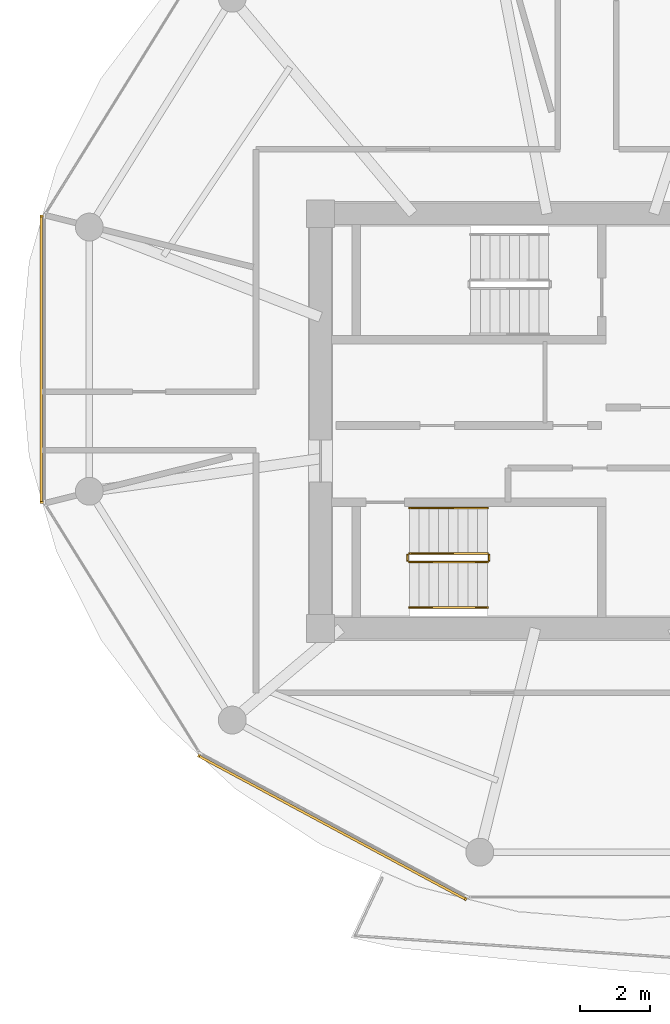
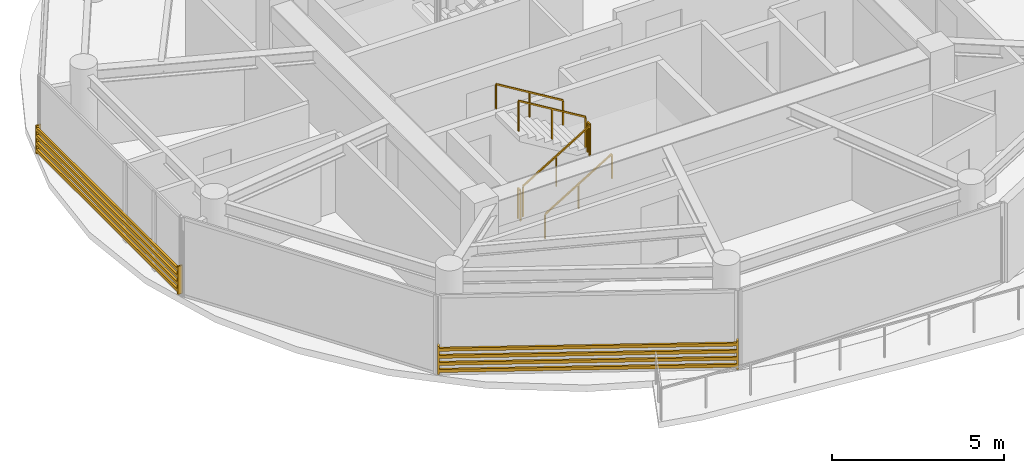
# One storey, part 18 of 23: 6 railings, 2 shading devices.
"""IFC4 building model written with IfcOpenShell, lengths in metres."""

import ifcopenshell
import ifcopenshell.guid

model = None  # the IFC model being written
_history = None  # IfcOwnerHistory: only IFC2X3 demands one
_inside = {}  # id of a spatial element -> (the spatial element, [elements in it])
_under = {}  # id of a project, library or spatial element -> (it, [spatial elements below it])
_declared = {}  # id of a project -> (the project, [libraries it declares])
_typed = {}  # id of a type object -> (the type object, [elements of that type])
_made_of = {}  # id of a material, layer set ... -> (it, [elements and type objects made of it])


def new_model(schema):
    """Start an empty IFC model of exactly this schema.

    Asked for "IFC4X3", IfcOpenShell would pick the latest addendum, in which some entities
    have other attributes; the version numbers below select the first issue.
    IFC2X3 requires an IfcOwnerHistory on every rooted entity: one is made here for all.
    """
    global model, _history
    if schema == "IFC4X3":
        model = ifcopenshell.file(schema_version=(4, 3, 0, 0))
    else:
        model = ifcopenshell.file(schema=schema)
    _inside.clear()
    _under.clear()
    _declared.clear()
    _typed.clear()
    _made_of.clear()
    _history = None
    if model.schema == "IFC2X3":
        org = make("IfcOrganization", Name="unknown")
        user = make(
            "IfcPersonAndOrganization",
            ThePerson=make("IfcPerson", FamilyName="unknown"),
            TheOrganization=org,
        )
        app = make(
            "IfcApplication",
            ApplicationDeveloper=org,
            Version="unknown",
            ApplicationFullName="unknown",
            ApplicationIdentifier="unknown",
        )
        _history = make(
            "IfcOwnerHistory",
            OwningUser=user,
            OwningApplication=app,
            ChangeAction="ADDED",
            CreationDate=0,
        )
    return model


def make(cls, **values):
    """One entity of the class cls with the attributes given. An attribute that is None is left unset."""
    return model.create_entity(
        cls, **{name: value for name, value in values.items() if value is not None}
    )


def rooted(cls, **values):
    """An entity with a GlobalId (a new one), such as an element, a storey or a relation."""
    return make(cls, GlobalId=ifcopenshell.guid.new(), OwnerHistory=_history, **values)


def si_unit(unit_type, name, prefix=None):
    """IfcSIUnit, for example si_unit("LENGTHUNIT", "METRE", prefix="MILLI")."""
    return make("IfcSIUnit", UnitType=unit_type, Prefix=prefix, Name=name)


def assignment(units):
    """IfcUnitAssignment: the units of a project."""
    return None if units is None else make("IfcUnitAssignment", Units=units)


def point(xyz):
    """IfcCartesianPoint."""
    return None if xyz is None else make("IfcCartesianPoint", Coordinates=xyz)


def direction(xyz):
    """IfcDirection."""
    return None if xyz is None else make("IfcDirection", DirectionRatios=xyz)


def frame(location, z_axis=None, x_axis=None):
    """IfcAxis2Placement3D, a coordinate frame: its origin and axes. An axis left out is left unset."""
    return make(
        "IfcAxis2Placement3D",
        Location=point(location),
        Axis=direction(z_axis),
        RefDirection=direction(x_axis),
    )


def frame_2d(location, x_axis=None):
    """IfcAxis2Placement2D, a coordinate frame in the plane: its origin and x axis."""
    return make(
        "IfcAxis2Placement2D", Location=point(location), RefDirection=direction(x_axis)
    )


def origin():
    """The frame at (0, 0, 0) with its axes left unset."""
    return frame((0.0, 0.0, 0.0))


def origin_2d():
    """The frame at (0, 0) in the plane with its x axis left unset."""
    return frame_2d((0.0, 0.0))


def place(relative_to, where):
    """IfcLocalPlacement: puts the frame where relative to a parent placement (None: the world)."""
    return make(
        "IfcLocalPlacement", PlacementRelTo=relative_to, RelativePlacement=where
    )


def context(
    kind, dimensions, precision=None, world=None, true_north=None, identifier=None
):
    """IfcGeometricRepresentationContext, for example the 3D "Model" context."""
    return make(
        "IfcGeometricRepresentationContext",
        ContextIdentifier=identifier,
        ContextType=kind,
        CoordinateSpaceDimension=dimensions,
        Precision=precision,
        WorldCoordinateSystem=world,
        TrueNorth=true_north,
    )


def subcontext(parent, identifier, kind, view, scale=None):
    """IfcGeometricRepresentationSubContext, for example "Body" below "Model"."""
    return make(
        "IfcGeometricRepresentationSubContext",
        ContextIdentifier=identifier,
        ContextType=kind,
        ParentContext=parent,
        TargetScale=scale,
        TargetView=view,
    )


def project(units=None, contexts=None):
    """IfcProject with its units and contexts."""
    return rooted(
        "IfcProject",
        Name="project",
        RepresentationContexts=contexts,
        UnitsInContext=assignment(units),
    )


def spatial(cls, under=None, at=None, **own):
    """A site, building, storey or space (cls), placed at a placement, below another one or the project."""
    s = rooted(cls, ObjectPlacement=at, **own)
    if under is not None:
        _under.setdefault(under.id(), (under, []))[1].append(s)
    return s


def profile(cls, at=None, kind="AREA", **sizes):
    """A parametric profile (cls). Its sizes go by their IFC names, for example OverallWidth=200.0."""
    return make(cls, ProfileType=kind, Position=at, **sizes)


def rectangle(**sizes):
    """IfcRectangleProfileDef."""
    return profile("IfcRectangleProfileDef", **sizes)


def extrude(swept, where, along, depth):
    """IfcExtrudedAreaSolid: the profile swept, set in the frame where, extruded along a direction by depth."""
    return make(
        "IfcExtrudedAreaSolid",
        SweptArea=swept,
        Position=where,
        ExtrudedDirection=direction(along),
        Depth=depth,
    )


def shape(context_of_items, identifier, shape_type, items):
    """IfcShapeRepresentation: the items that make up one representation, for example the "Body"."""
    return make(
        "IfcShapeRepresentation",
        ContextOfItems=context_of_items,
        RepresentationIdentifier=identifier,
        RepresentationType=shape_type,
        Items=items,
    )


def source(mapping_origin, context_of_items, identifier, shape_type, items):
    """IfcRepresentationMap: a shape defined once, which mapped items show again and again."""
    return make(
        "IfcRepresentationMap",
        MappingOrigin=mapping_origin,
        MappedRepresentation=shape(context_of_items, identifier, shape_type, items),
    )


def transform(
    local_origin,
    x_axis=None,
    y_axis=None,
    z_axis=None,
    scale=None,
    scale2=None,
    scale3=None,
    uniform=True,
):
    """IfcCartesianTransformationOperator3D, or its non-uniform kind. x_axis, y_axis, z_axis: its Axis1, 2, 3."""
    if uniform:
        return make(
            "IfcCartesianTransformationOperator3D",
            Axis1=direction(x_axis),
            Axis2=direction(y_axis),
            LocalOrigin=point(local_origin),
            Scale=scale,
            Axis3=direction(z_axis),
        )
    return make(
        "IfcCartesianTransformationOperator3DnonUniform",
        Axis1=direction(x_axis),
        Axis2=direction(y_axis),
        LocalOrigin=point(local_origin),
        Scale=scale,
        Axis3=direction(z_axis),
        Scale2=scale2,
        Scale3=scale3,
    )


def mapped(mapping_source, mapping_target):
    """IfcMappedItem: shows the shape of a source again, moved by a transform."""
    return make(
        "IfcMappedItem", MappingSource=mapping_source, MappingTarget=mapping_target
    )


def material(Name=None, Category=None):
    """IfcMaterial."""
    return make("IfcMaterial", Name=Name, Category=Category)


def made_of(thing, what):
    """Note that an element or type object is made of a material, layer set ...; save() writes the relation."""
    if what is not None:
        _made_of.setdefault(what.id(), (what, []))[1].append(thing)
    return thing


def type_object(cls, material=None, **own):
    """A type object (cls), such as IfcWallType, which elements share."""
    return made_of(rooted(cls, **own), material)


def type_shapes(of_type, sources):
    """Give a type object the sources (RepresentationMaps) that its elements show as mapped items."""
    of_type.RepresentationMaps = sources


def element(
    cls,
    number,
    at=None,
    inside=None,
    cuts=None,
    type_object=None,
    material=None,
    context=None,
    identifier="Body",
    shape_type=None,
    held_by="IfcProductDefinitionShape",
    body=None,
    shapes=None,
    **own,
):
    """One element of the class cls, such as IfcWall. Its Tag is "e" and its number.

    at: its placement. inside: the storey or other place that contains it. cuts: it is an
    opening in that element (IfcRelVoidsElement). A single representation is given by context,
    identifier, shape_type and body (its items); several are given by shapes. held_by: the class
    of the entity that holds the representations. save() writes the other relations.
    """
    e = rooted(cls, Tag="e%d" % number, ObjectPlacement=at, **own)
    if body is not None:
        shapes = [shape(context, identifier, shape_type, body)]
    if shapes is not None:
        e.Representation = make(held_by, Representations=shapes)
    if inside is not None:
        _inside.setdefault(inside.id(), (inside, []))[1].append(e)
    if cuts is not None:
        rooted(
            "IfcRelVoidsElement", RelatingBuildingElement=cuts, RelatedOpeningElement=e
        )
    if type_object is not None:
        _typed.setdefault(type_object.id(), (type_object, []))[1].append(e)
    return made_of(e, material)


def aggregate(whole, parts):
    """IfcRelAggregates: a whole, such as a stair, and the parts it consists of."""
    return rooted("IfcRelAggregates", RelatingObject=whole, RelatedObjects=parts)


def save(model, path):
    """Write the relations noted so far, then the file.

    IfcRelAggregates (storeys below a building ...), IfcRelContainedInSpatialStructure (elements
    in a storey), IfcRelDefinesByType, IfcRelAssociatesMaterial and IfcRelDeclares: one each for
    every whole, place, type object, material and project.
    """
    for whole, parts in _under.values():
        aggregate(whole, parts)
    for where, things in _inside.values():
        rooted(
            "IfcRelContainedInSpatialStructure",
            RelatedElements=things,
            RelatingStructure=where,
        )
    for kind, things in _typed.values():
        rooted("IfcRelDefinesByType", RelatedObjects=things, RelatingType=kind)
    for what, things in _made_of.values():
        rooted("IfcRelAssociatesMaterial", RelatedObjects=things, RelatingMaterial=what)
    for by, libraries in _declared.values():
        rooted("IfcRelDeclares", RelatingContext=by, RelatedDefinitions=libraries)
    model.write(path)


model = new_model("IFC4")

# Units and contexts
model_context = context("Model", 3, precision=1e-05, world=origin(), true_north=direction((0.0, 1.0)))
body_context = subcontext(model_context, "Body", "Model", "MODEL_VIEW")
ifc_project = project(units=[si_unit("LENGTHUNIT", "METRE"), si_unit("AREAUNIT", "SQUARE_METRE"), si_unit("VOLUMEUNIT", "CUBIC_METRE"), si_unit("PLANEANGLEUNIT", "RADIAN"), si_unit("MASSUNIT", "GRAM", prefix="KILO")], contexts=[model_context])

# Site, building, storey
site_placement = place(None, origin())
site = spatial("IfcSite", under=ifc_project, at=site_placement, CompositionType="ELEMENT")
building_placement = place(site_placement, origin())
building = spatial("IfcBuilding", under=site, at=building_placement, Name="Norrkilde Senior Care Towers", CompositionType="ELEMENT")
storey_placement = place(building_placement, frame((0.0, 0.0, 177.0)))
storey = spatial("IfcBuildingStorey", under=building, at=storey_placement, Name="L55", CompositionType="ELEMENT", Elevation=177.0)

# Railings
ifc_material_1 = material(Name="Stainless Steel", Category="steel")
railing_type_1 = type_object("IfcRailingType", Name="Stair and Terrace Guardrail 1100", PredefinedType="GUARDRAIL", material=ifc_material_1)
railing_1_placement = place(storey_placement, frame((-33.10009765625, -4.050048828125, 0.16943359375)))
element("IfcRailing", 1, at=railing_1_placement, inside=storey, type_object=railing_type_1, Name="L55 ST-W2 stair guard 1", PredefinedType="GUARDRAIL", context=body_context, shape_type="SweptSolid", body=[
    extrude(rectangle(XDim=0.048095703125, YDim=0.048095703125, at=origin_2d()), frame((0.0, 0.0, 1.076171875), z_axis=(0.855553338991, 0.0, 0.51771467445), x_axis=(0.0, 1.0, 0.0)), (0.0, 0.0, 1.0), 2.6181640625),
    extrude(rectangle(XDim=0.0419921875, YDim=0.0419921875, at=origin_2d()), origin(), (0.0, 0.0, 1.0), 1.050048828125),
    extrude(rectangle(XDim=0.0419921875, YDim=0.0419921875, at=origin_2d()), frame((1.1201171875, 0.0, 0.677734375)), (0.0, 0.0, 1.0), 1.050048828125),
    extrude(rectangle(XDim=0.0419921875, YDim=0.0419921875, at=origin_2d()), frame((2.239990234375, 0.0, 1.35546875)), (0.0, 0.0, 1.0), 1.050048828125),
])
railing_2_placement = place(storey_placement, frame((-30.81005859375, -4.0, 1.52490234375)))
element("IfcRailing", 2, at=railing_2_placement, inside=storey, type_object=railing_type_1, Name="L55 ST-W2 stair guard 2", PredefinedType="GUARDRAIL", context=body_context, shape_type="SweptSolid", body=[
    extrude(rectangle(XDim=0.048095703125, YDim=0.048095703125, at=origin_2d()), frame((0.0, 0.0, 1.076171875), z_axis=(0.0, 1.0, 0.0), x_axis=(-1.0, 0.0, 0.0)), (0.0, 0.0, 1.0), 0.14990234375),
    extrude(rectangle(XDim=0.0419921875, YDim=0.0419921875, at=origin_2d()), origin(), (0.0, 0.0, 1.0), 1.050048828125),
    extrude(rectangle(XDim=0.0419921875, YDim=0.0419921875, at=origin_2d()), frame((0.0, 0.14990234375, 0.0)), (0.0, 0.0, 1.0), 1.050048828125),
])
railing_3_placement = place(storey_placement, frame((-30.860107421875, -3.800048828125, 1.6943359375)))
element("IfcRailing", 3, at=railing_3_placement, inside=storey, type_object=railing_type_1, Name="L55 ST-W2 stair guard 3", PredefinedType="GUARDRAIL", context=body_context, shape_type="SweptSolid", body=[
    extrude(rectangle(XDim=0.048095703125, YDim=0.048095703125, at=origin_2d()), frame((0.0, 0.0, 1.076171875), z_axis=(-0.855512035549, 0.0, 0.517782924622), x_axis=(0.0, -1.0, 0.0)), (0.0, 0.0, 1.0), 2.618408203125),
    extrude(rectangle(XDim=0.0419921875, YDim=0.0419921875, at=origin_2d()), origin(), (0.0, 0.0, 1.0), 1.050048828125),
    extrude(rectangle(XDim=0.0419921875, YDim=0.0419921875, at=origin_2d()), frame((-1.1201171875, 0.0, 0.677734375)), (0.0, 0.0, 1.0), 1.050048828125),
    extrude(rectangle(XDim=0.0419921875, YDim=0.0419921875, at=origin_2d()), frame((-2.239990234375, 0.0, 1.355712890625)), (0.0, 0.0, 1.0), 1.050048828125),
])
railing_4_placement = place(storey_placement, frame((-33.14990234375, -4.0, 0.0)))
element("IfcRailing", 4, at=railing_4_placement, inside=storey, type_object=railing_type_1, Name="L55 ST-W2 stair guard 4", PredefinedType="GUARDRAIL", context=body_context, shape_type="SweptSolid", body=[
    extrude(rectangle(XDim=0.048095703125, YDim=0.048095703125, at=origin_2d()), frame((0.0, 0.0, 1.076171875), z_axis=(0.0, 1.0, 0.0), x_axis=(-1.0, 0.0, 0.0)), (0.0, 0.0, 1.0), 0.14990234375),
    extrude(rectangle(XDim=0.0419921875, YDim=0.0419921875, at=origin_2d()), origin(), (0.0, 0.0, 1.0), 1.050048828125),
    extrude(rectangle(XDim=0.0419921875, YDim=0.0419921875, at=origin_2d()), frame((0.0, 0.14990234375, 0.0)), (0.0, 0.0, 1.0), 1.050048828125),
])
ifc_material_2 = material(Name="Nordic Ash Timber", Category="wood")
railing_type_2 = type_object("IfcRailingType", Name="Wall and Stair Handrail 900", PredefinedType="HANDRAIL", material=ifc_material_2)
railing_5_placement = place(storey_placement, frame((-33.10009765625, -5.35009765625, 0.16943359375)))
element("IfcRailing", 5, at=railing_5_placement, inside=storey, type_object=railing_type_2, Name="L55 ST-W2 stair handrail 1", PredefinedType="HANDRAIL", context=body_context, shape_type="SweptSolid", body=[
    extrude(rectangle(XDim=0.048095703125, YDim=0.048095703125, at=origin_2d()), frame((0.0, 0.0, 0.8759765625), z_axis=(0.855553338991, 0.0, 0.51771467445), x_axis=(0.0, 1.0, 0.0)), (0.0, 0.0, 1.0), 2.6181640625),
    extrude(rectangle(XDim=0.0419921875, YDim=0.0419921875, at=origin_2d()), origin(), (0.0, 0.0, 1.0), 0.849853515625),
    extrude(rectangle(XDim=0.0419921875, YDim=0.0419921875, at=origin_2d()), frame((1.1201171875, 0.0, 0.677734375)), (0.0, 0.0, 1.0), 0.849853515625),
    extrude(rectangle(XDim=0.0419921875, YDim=0.0419921875, at=origin_2d()), frame((2.239990234375, 0.0, 1.35546875)), (0.0, 0.0, 1.0), 0.849853515625),
])
railing_6_placement = place(storey_placement, frame((-30.860107421875, -2.5, 1.6943359375)))
element("IfcRailing", 6, at=railing_6_placement, inside=storey, type_object=railing_type_2, Name="L55 ST-W2 stair handrail 2", PredefinedType="HANDRAIL", context=body_context, shape_type="SweptSolid", body=[
    extrude(rectangle(XDim=0.048095703125, YDim=0.048095703125, at=origin_2d()), frame((0.0, 0.0, 0.8759765625), z_axis=(-0.855512035549, 0.0, 0.517782924622), x_axis=(0.0, -1.0, 0.0)), (0.0, 0.0, 1.0), 2.618408203125),
    extrude(rectangle(XDim=0.0419921875, YDim=0.0419921875, at=origin_2d()), origin(), (0.0, 0.0, 1.0), 0.849853515625),
    extrude(rectangle(XDim=0.0419921875, YDim=0.0419921875, at=origin_2d()), frame((-1.1201171875, 0.0, 0.677734375)), (0.0, 0.0, 1.0), 0.849853515625),
    extrude(rectangle(XDim=0.0419921875, YDim=0.0419921875, at=origin_2d()), frame((-2.239990234375, 0.0, 1.355712890625)), (0.0, 0.0, 1.0), 0.849853515625),
])

# Shading devices
ifc_material_3 = material(Name="Architectural Terracotta", Category="masonry")
shading_device_type = type_object("IfcShadingDeviceType", Name="Horizontal Terracotta Baguette Rack", PredefinedType="USERDEFINED", material=ifc_material_3)
shared_shape_1 = source(origin(), body_context, "Body", "SweptSolid", [
    extrude(rectangle(XDim=0.070068359375, YDim=0.110107421875, at=origin_2d()), frame((0.0, 0.090087890625, 0.125), z_axis=(1.0, 0.0, 0.0), x_axis=(0.0, 1.0, 0.0)), (0.0, 0.0, 1.0), 8.74169921875),
    extrude(rectangle(XDim=0.070068359375, YDim=0.110107421875, at=origin_2d()), frame((0.0, 0.090087890625, 0.375), z_axis=(1.0, 0.0, 0.0), x_axis=(0.0, 1.0, 0.0)), (0.0, 0.0, 1.0), 8.74169921875),
    extrude(rectangle(XDim=0.070068359375, YDim=0.110107421875, at=origin_2d()), frame((0.0, 0.090087890625, 0.625), z_axis=(1.0, 0.0, 0.0), x_axis=(0.0, 1.0, 0.0)), (0.0, 0.0, 1.0), 8.74169921875),
    extrude(rectangle(XDim=0.070068359375, YDim=0.110107421875, at=origin_2d()), frame((0.0, 0.090087890625, 0.875), z_axis=(1.0, 0.0, 0.0), x_axis=(0.0, 1.0, 0.0)), (0.0, 0.0, 1.0), 8.74169921875),
    extrude(rectangle(XDim=0.050048828125, YDim=0.1552734375, at=origin_2d()), frame((0.02490234375, 0.047607421875, 0.0)), (0.0, 0.0, 1.0), 1.0),
    extrude(rectangle(XDim=0.050048828125, YDim=0.1552734375, at=origin_2d()), frame((8.716796875, 0.047607421875, 0.0)), (0.0, 0.0, 1.0), 1.0),
])
shading_device_1_placement = place(storey_placement, frame((-31.421630859375, -13.66015625, 0.080078125), z_axis=(0.0, 0.0, 1.0), x_axis=(-0.880997598168, 0.47313299447, 0.0)))
element("IfcShadingDevice", 7, at=shading_device_1_placement, inside=storey, type_object=shading_device_type, Name="L55 Drum W Terracotta Baguette Screen 07", ObjectType="BAGUETTE", PredefinedType="USERDEFINED", context=body_context, shape_type="MappedRepresentation", body=[
    mapped(shared_shape_1, transform((0.0, 0.0, 0.0), x_axis=(1.0, 0.0, 0.0), y_axis=(0.0, 1.0, 0.0), z_axis=(0.0, 0.0, 1.0), scale=1.0)),
])
shared_shape_2 = source(origin(), body_context, "Body", "SweptSolid", [
    extrude(rectangle(XDim=0.070068359375, YDim=0.110107421875, at=origin_2d()), frame((0.0, 0.090087890625, 0.125), z_axis=(1.0, 0.0, 0.0), x_axis=(0.0, 1.0, 0.0)), (0.0, 0.0, 1.0), 8.27197265625),
    extrude(rectangle(XDim=0.070068359375, YDim=0.110107421875, at=origin_2d()), frame((0.0, 0.090087890625, 0.375), z_axis=(1.0, 0.0, 0.0), x_axis=(0.0, 1.0, 0.0)), (0.0, 0.0, 1.0), 8.27197265625),
    extrude(rectangle(XDim=0.070068359375, YDim=0.110107421875, at=origin_2d()), frame((0.0, 0.090087890625, 0.625), z_axis=(1.0, 0.0, 0.0), x_axis=(0.0, 1.0, 0.0)), (0.0, 0.0, 1.0), 8.27197265625),
    extrude(rectangle(XDim=0.070068359375, YDim=0.110107421875, at=origin_2d()), frame((0.0, 0.090087890625, 0.875), z_axis=(1.0, 0.0, 0.0), x_axis=(0.0, 1.0, 0.0)), (0.0, 0.0, 1.0), 8.27197265625),
    extrude(rectangle(XDim=0.050048828125, YDim=0.1552734375, at=origin_2d()), frame((0.02490234375, 0.047607421875, 0.0)), (0.0, 0.0, 1.0), 1.0),
    extrude(rectangle(XDim=0.050048828125, YDim=0.1552734375, at=origin_2d()), frame((8.2470703125, 0.047607421875, 0.0)), (0.0, 0.0, 1.0), 1.0),
])
type_shapes(shading_device_type, [shared_shape_1, shared_shape_2])
shading_device_2_placement = place(storey_placement, frame((-43.569580078125, -2.360595703125, 0.080078125), z_axis=(0.0, 0.0, 1.0), x_axis=(0.0, 1.0, 0.0)))
element("IfcShadingDevice", 8, at=shading_device_2_placement, inside=storey, type_object=shading_device_type, Name="L55 Drum W Terracotta Baguette Screen 05", ObjectType="BAGUETTE", PredefinedType="USERDEFINED", context=body_context, shape_type="MappedRepresentation", body=[
    mapped(shared_shape_2, transform((0.0, 0.0, 0.0), x_axis=(1.0, 0.0, 0.0), y_axis=(0.0, 1.0, 0.0), z_axis=(0.0, 0.0, 1.0), scale=1.0)),
])

save(model, "model.ifc")
